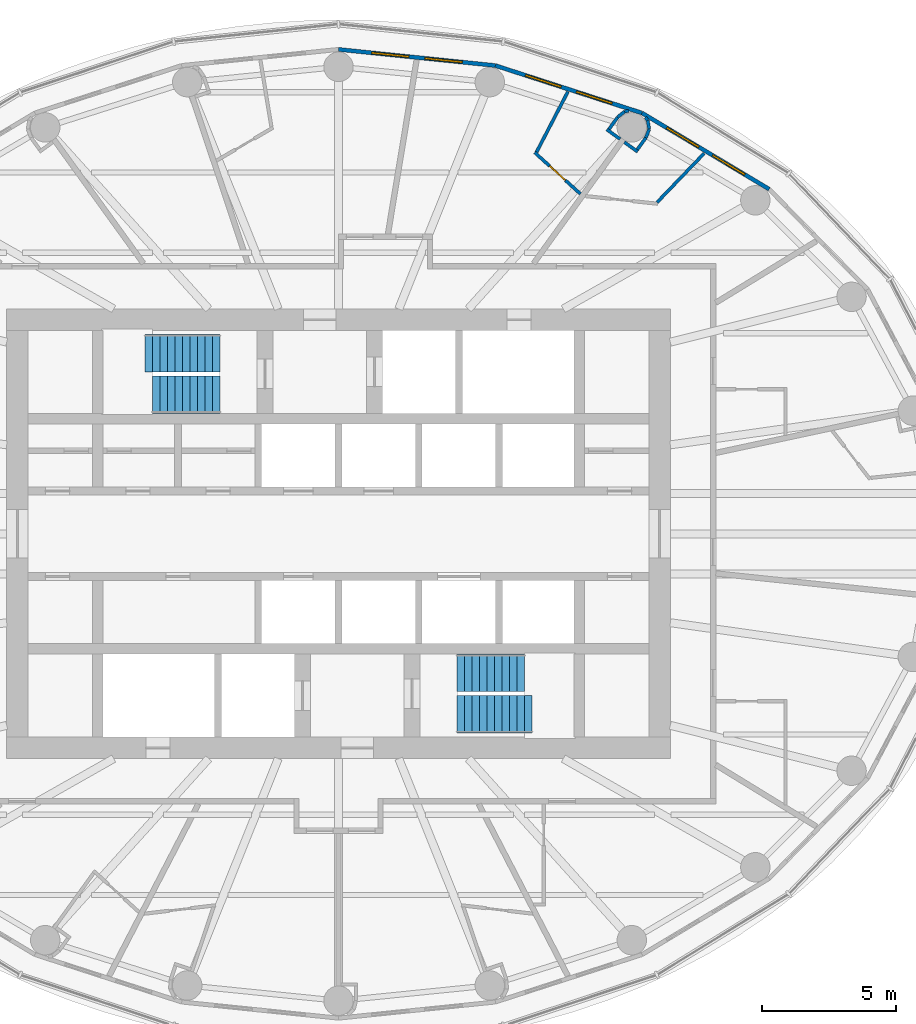
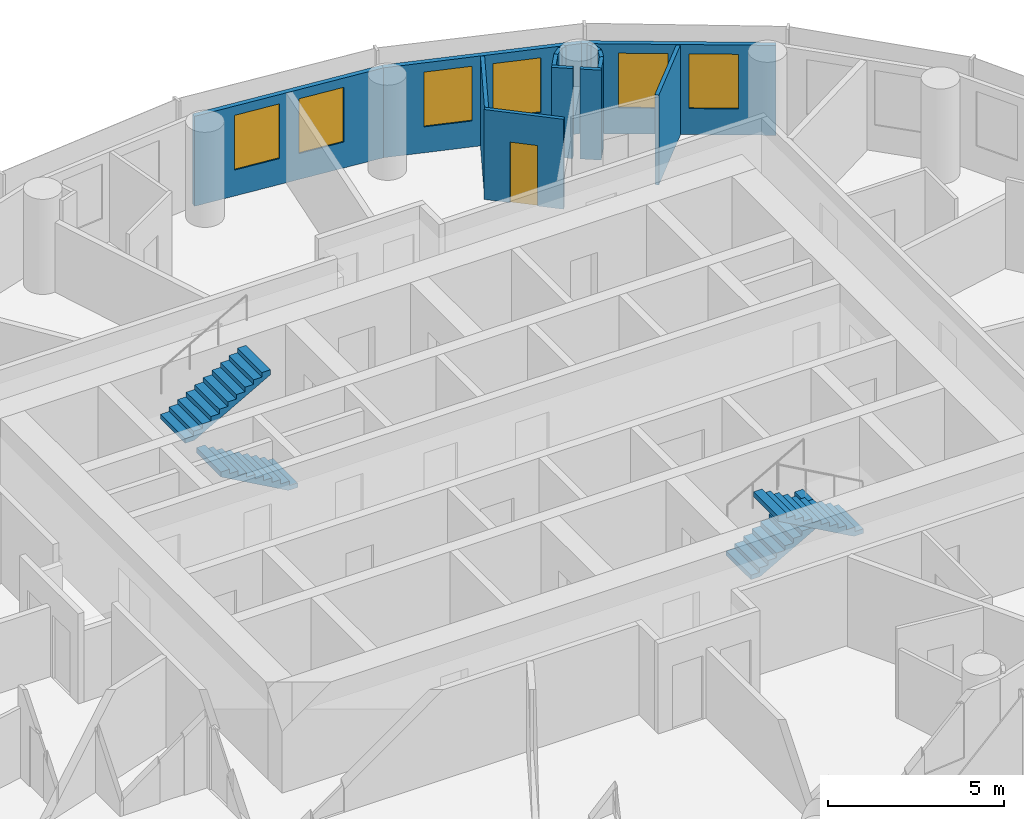
# One storey, part 12 of 13: 15 walls, 6 windows, 4 stair flights, 1 door, 7 openings, 2 elements without a shape of their own.
"""IFC4 building model written with IfcOpenShell, lengths in metres."""

from ifc_helpers import new_model, si_unit, direction, frame, frame_2d, origin, place, context, subcontext, project, spatial, polyline, rectangle, outline, extrude, material, layer, layer_set, type_object, element, fill, aggregate, save


model = new_model("IFC4")

# Units and contexts
model_context = context("Model", 3, precision=1e-05, world=origin(), true_north=direction((0.0, 1.0)))
body_context = subcontext(model_context, "Body", "Model", "MODEL_VIEW")
ifc_project = project(units=[si_unit("LENGTHUNIT", "METRE"), si_unit("AREAUNIT", "SQUARE_METRE"), si_unit("VOLUMEUNIT", "CUBIC_METRE"), si_unit("PLANEANGLEUNIT", "RADIAN"), si_unit("MASSUNIT", "GRAM", prefix="KILO")], contexts=[model_context])

# Site, building, storey
site_placement = place(None, origin())
site = spatial("IfcSite", under=ifc_project, at=site_placement, CompositionType="ELEMENT")
building_placement = place(site_placement, origin())
building = spatial("IfcBuilding", under=site, at=building_placement, Name="Hankou Lantern Tower", CompositionType="ELEMENT")
storey_placement = place(building_placement, frame((0.0, 0.0, 159.89990234375)))
storey = spatial("IfcBuildingStorey", under=building, at=storey_placement, Name="L42", CompositionType="ELEMENT", Elevation=159.89990234375)

# Wall, openings, windows
ifc_material_1 = material(Name="Aluminium spandrel panel on steel studs", Category="steel")
ifc_layer_1 = layer(ifc_material_1, 0.14990234375)
ifc_layer_set_1 = layer_set([ifc_layer_1], Name="Aluminium spandrel panel on steel studs")
wall_type_1 = type_object("IfcWallType", Name="EW1 INNER SKIN WALL 150", PredefinedType="ELEMENTEDWALL", material=ifc_layer_set_1)
wall_1_placement = place(storey_placement, frame((16.0947265625, 12.875732421875, 0.0), z_axis=(0.0, 0.0, 1.0), x_axis=(-0.857695199231, 0.514158482587, 0.0)))
wall_1 = element("IfcWall", 1, at=wall_1_placement, inside=storey, type_object=wall_type_1, Name="Inner skin R04-R05 L42", PredefinedType="ELEMENTEDWALL", context=body_context, shape_type="SweptSolid", body=[
    extrude(rectangle(XDim=5.5361328125, YDim=0.14990234375, at=frame_2d((2.76806640625, 0.0))), origin(), (0.0, 0.0, 1.0), 3.1201171875),
])
opening_1_placement = place(wall_1_placement, frame((1.068115234375, 0.0, 0.89990234375)))
opening_1 = element("IfcOpeningElement", 2, at=opening_1_placement, cuts=wall_1, Name="Opening W3", PredefinedType="OPENING", context=body_context, shape_type="SweptSolid", body=[
    extrude(rectangle(XDim=1.39990234375, YDim=1.89990234375, at=frame_2d((0.699951171875, 0.949951171875))), frame((0.0, 0.0849609375, 0.0), z_axis=(0.0, -1.0, 0.0), x_axis=(1.0, 0.0, 0.0)), (0.0, 0.0, 1.0), 0.169921875),
])
opening_2_placement = place(wall_1_placement, frame((3.068115234375, 0.0, 0.89990234375)))
opening_2 = element("IfcOpeningElement", 3, at=opening_2_placement, cuts=wall_1, Name="Opening W3", PredefinedType="OPENING", context=body_context, shape_type="SweptSolid", body=[
    extrude(rectangle(XDim=1.39990234375, YDim=1.89990234375, at=frame_2d((0.699951171875, 0.949951171875))), frame((0.0, 0.0849609375, 0.0), z_axis=(0.0, -1.0, 0.0), x_axis=(1.0, 0.0, 0.0)), (0.0, 0.0, 1.0), 0.169921875),
])
ifc_material_2 = material(Name="Aluminium framed double glazed window", Category="aluminium")
window_type = type_object("IfcWindowType", Name="W3 GUEST ROOM WINDOW 1400X1900", PartitioningType="DOUBLE_PANEL_VERTICAL", PredefinedType="WINDOW", material=ifc_material_2)
window_1_placement = place(opening_1_placement, origin())
window_1 = element("IfcWindow", 4, at=window_1_placement, inside=storey, type_object=window_type, Name="Window R04.1 L42", OverallHeight=1.89990234375, OverallWidth=1.39990234375, PartitioningType="SINGLE_PANEL", PredefinedType="WINDOW", context=body_context, shape_type="SweptSolid", body=[
    extrude(rectangle(XDim=1.39990234375, YDim=1.89990234375, at=frame_2d((0.699951171875, 0.949951171875))), frame((0.0, 0.030029296875, 0.0), z_axis=(0.0, -1.0, 0.0), x_axis=(1.0, 0.0, 0.0)), (0.0, 0.0, 1.0), 0.06005859375),
])
fill(opening_1, window_1)
window_2_placement = place(opening_2_placement, origin())
window_2 = element("IfcWindow", 5, at=window_2_placement, inside=storey, type_object=window_type, Name="Window R04.2 L42", OverallHeight=1.89990234375, OverallWidth=1.39990234375, PartitioningType="SINGLE_PANEL", PredefinedType="WINDOW", context=body_context, shape_type="SweptSolid", body=[
    extrude(rectangle(XDim=1.39990234375, YDim=1.89990234375, at=frame_2d((0.699951171875, 0.949951171875))), frame((0.0, 0.030029296875, 0.0), z_axis=(0.0, -1.0, 0.0), x_axis=(1.0, 0.0, 0.0)), (0.0, 0.0, 1.0), 0.06005859375),
])
fill(opening_2, window_2)

wall_2_placement = place(storey_placement, frame((11.346435546875, 15.72216796875, 0.0), z_axis=(0.0, 0.0, 1.0), x_axis=(-0.951432482129, 0.307857486429, 0.0)))
wall_2 = element("IfcWall", 6, at=wall_2_placement, inside=storey, type_object=wall_type_1, Name="Inner skin R05-R06 L42", PredefinedType="ELEMENTEDWALL", context=body_context, shape_type="SweptSolid", body=[
    extrude(rectangle(XDim=5.76611328125, YDim=0.14990234375, at=frame_2d((2.883056640625, 0.0))), origin(), (0.0, 0.0, 1.0), 3.1201171875),
])
opening_3_placement = place(wall_2_placement, frame((1.18310546875, 0.0, 0.89990234375)))
opening_3 = element("IfcOpeningElement", 7, at=opening_3_placement, cuts=wall_2, Name="Opening W3", PredefinedType="OPENING", context=body_context, shape_type="SweptSolid", body=[
    extrude(rectangle(XDim=1.39990234375, YDim=1.89990234375, at=frame_2d((0.699951171875, 0.949951171875))), frame((0.0, 0.0849609375, 0.0), z_axis=(0.0, -1.0, 0.0), x_axis=(1.0, 0.0, 0.0)), (0.0, 0.0, 1.0), 0.169921875),
])
opening_4_placement = place(wall_2_placement, frame((3.18310546875, 0.0, 0.89990234375)))
opening_4 = element("IfcOpeningElement", 8, at=opening_4_placement, cuts=wall_2, Name="Opening W3", PredefinedType="OPENING", context=body_context, shape_type="SweptSolid", body=[
    extrude(rectangle(XDim=1.39990234375, YDim=1.89990234375, at=frame_2d((0.699951171875, 0.949951171875))), frame((0.0, 0.0849609375, 0.0), z_axis=(0.0, -1.0, 0.0), x_axis=(1.0, 0.0, 0.0)), (0.0, 0.0, 1.0), 0.169921875),
])
window_3_placement = place(opening_3_placement, origin())
window_3 = element("IfcWindow", 9, at=window_3_placement, inside=storey, type_object=window_type, Name="Window R05.1 L42", OverallHeight=1.89990234375, OverallWidth=1.39990234375, PartitioningType="SINGLE_PANEL", PredefinedType="WINDOW", context=body_context, shape_type="SweptSolid", body=[
    extrude(rectangle(XDim=1.39990234375, YDim=1.89990234375, at=frame_2d((0.699951171875, 0.949951171875))), frame((0.0, 0.030029296875, 0.0), z_axis=(0.0, -1.0, 0.0), x_axis=(1.0, 0.0, 0.0)), (0.0, 0.0, 1.0), 0.06005859375),
])
fill(opening_3, window_3)
window_4_placement = place(opening_4_placement, origin())
window_4 = element("IfcWindow", 10, at=window_4_placement, inside=storey, type_object=window_type, Name="Window R05.2 L42", OverallHeight=1.89990234375, OverallWidth=1.39990234375, PartitioningType="SINGLE_PANEL", PredefinedType="WINDOW", context=body_context, shape_type="SweptSolid", body=[
    extrude(rectangle(XDim=1.39990234375, YDim=1.89990234375, at=frame_2d((0.699951171875, 0.949951171875))), frame((0.0, 0.030029296875, 0.0), z_axis=(0.0, -1.0, 0.0), x_axis=(1.0, 0.0, 0.0)), (0.0, 0.0, 1.0), 0.06005859375),
])
fill(opening_4, window_4)

wall_3_placement = place(storey_placement, frame((5.8603515625, 17.497314453125, 0.0), z_axis=(0.0, 0.0, 1.0), x_axis=(-0.994751738032, 0.102318032045, 0.0)))
wall_3 = element("IfcWall", 11, at=wall_3_placement, inside=storey, type_object=wall_type_1, Name="Inner skin R06-R07 L42", PredefinedType="ELEMENTEDWALL", context=body_context, shape_type="SweptSolid", body=[
    extrude(rectangle(XDim=5.891357421875, YDim=0.14990234375, at=frame_2d((2.94580078125, 0.0))), origin(), (0.0, 0.0, 1.0), 3.1201171875),
])
opening_5_placement = place(wall_3_placement, frame((1.24560546875, 0.0, 0.89990234375)))
opening_5 = element("IfcOpeningElement", 12, at=opening_5_placement, cuts=wall_3, Name="Opening W3", PredefinedType="OPENING", context=body_context, shape_type="SweptSolid", body=[
    extrude(rectangle(XDim=1.39990234375, YDim=1.89990234375, at=frame_2d((0.699951171875, 0.949951171875))), frame((0.0, 0.0849609375, 0.0), z_axis=(0.0, -1.0, 0.0), x_axis=(1.0, 0.0, 0.0)), (0.0, 0.0, 1.0), 0.169921875),
])
opening_6_placement = place(wall_3_placement, frame((3.24560546875, 0.0, 0.89990234375)))
opening_6 = element("IfcOpeningElement", 13, at=opening_6_placement, cuts=wall_3, Name="Opening W3", PredefinedType="OPENING", context=body_context, shape_type="SweptSolid", body=[
    extrude(rectangle(XDim=1.39990234375, YDim=1.89990234375, at=frame_2d((0.699951171875, 0.949951171875))), frame((0.0, 0.0849609375, 0.0), z_axis=(0.0, -1.0, 0.0), x_axis=(1.0, 0.0, 0.0)), (0.0, 0.0, 1.0), 0.169921875),
])
window_5_placement = place(opening_5_placement, origin())
window_5 = element("IfcWindow", 14, at=window_5_placement, inside=storey, type_object=window_type, Name="Window R06.1 L42", OverallHeight=1.89990234375, OverallWidth=1.39990234375, PartitioningType="SINGLE_PANEL", PredefinedType="WINDOW", context=body_context, shape_type="SweptSolid", body=[
    extrude(rectangle(XDim=1.39990234375, YDim=1.89990234375, at=frame_2d((0.699951171875, 0.949951171875))), frame((0.0, 0.030029296875, 0.0), z_axis=(0.0, -1.0, 0.0), x_axis=(1.0, 0.0, 0.0)), (0.0, 0.0, 1.0), 0.06005859375),
])
fill(opening_5, window_5)
window_6_placement = place(opening_6_placement, origin())
window_6 = element("IfcWindow", 15, at=window_6_placement, inside=storey, type_object=window_type, Name="Window R06.2 L42", OverallHeight=1.89990234375, OverallWidth=1.39990234375, PartitioningType="SINGLE_PANEL", PredefinedType="WINDOW", context=body_context, shape_type="SweptSolid", body=[
    extrude(rectangle(XDim=1.39990234375, YDim=1.89990234375, at=frame_2d((0.699951171875, 0.949951171875))), frame((0.0, 0.030029296875, 0.0), z_axis=(0.0, -1.0, 0.0), x_axis=(1.0, 0.0, 0.0)), (0.0, 0.0, 1.0), 0.06005859375),
])
fill(opening_6, window_6)

# Walls
ifc_material_3 = material(Name="Masonry lightweight concrete block", Category="masonry")
ifc_layer_2 = layer(ifc_material_3, 0.1201171875)
ifc_layer_set_2 = layer_set([ifc_layer_2], Name="Masonry lightweight concrete block")
wall_type_2 = type_object("IfcWallType", Name="IW3 BATHROOM WALL 120", PredefinedType="PARTITIONING", material=ifc_layer_set_2)
wall_4_placement = place(storey_placement, frame((11.90234375, 12.383056640625, 0.0), z_axis=(0.0, 0.0, 1.0), x_axis=(0.69298385335, 0.720953104574, 0.0)))
element("IfcWall", 16, at=wall_4_placement, inside=storey, type_object=wall_type_2, Name="Box wall 4213 2", PredefinedType="PARTITIONING", context=body_context, shape_type="SweptSolid", body=[
    extrude(rectangle(XDim=2.5400390625, YDim=0.1201171875, at=frame_2d((1.27001953125, 0.0))), origin(), (0.0, 0.0, 1.0), 3.1201171875),
])
wall_5_placement = place(storey_placement, frame((10.683837890625, 14.633056640625, 0.0), z_axis=(0.0, 0.0, 1.0), x_axis=(0.810921075692, -0.585155542568, 0.0)))
element("IfcWall", 17, at=wall_5_placement, inside=storey, type_object=wall_type_2, Name="Column casing 4213 return", PredefinedType="PARTITIONING", context=body_context, shape_type="SweptSolid", body=[
    extrude(rectangle(XDim=0.612060546875, YDim=0.1201171875, at=frame_2d((0.30615234375, 0.0))), origin(), (0.0, 0.0, 1.0), 3.1201171875),
])
wall_6_placement = place(storey_placement, frame((11.166748046875, 14.358642578125, 0.0), z_axis=(0.0, 0.0, 1.0), x_axis=(0.585263549799, 0.810843127415, 0.0)))
element("IfcWall", 18, at=wall_6_placement, inside=storey, type_object=wall_type_2, Name="Column casing 4213", PredefinedType="PARTITIONING", context=body_context, shape_type="SweptSolid", body=[
    extrude(rectangle(XDim=0.5498046875, YDim=0.1201171875, at=frame_2d((0.27490234375, 0.0))), origin(), (0.0, 0.0, 1.0), 3.1201171875),
])
for number, where, z_axis, x_axis, name in (
    (19, (11.488525390625, 14.804443359375, 0.0), (0.0, 0.0, 1.0), (0.355634599475, 0.934625075448, 0.0), "Column casing 4213"),
    (20, (11.608642578125, 15.1201171875, 0.0), (0.0, 0.0, 1.0), (-0.159823572519, 0.987145594969, 0.0), "Column casing 4213"),
):
    element("IfcWall", number, at=place(storey_placement, frame(where, z_axis=z_axis, x_axis=x_axis)), inside=storey, type_object=wall_type_2, Name=name, PredefinedType="PARTITIONING", context=body_context, shape_type="SweptSolid", body=[
        extrude(rectangle(XDim=0.337646484375, YDim=0.1201171875, at=frame_2d((0.1689453125, 0.0))), origin(), (0.0, 0.0, 1.0), 3.1201171875),
    ])
wall_7_placement = place(storey_placement, frame((11.5546875, 15.453369140625, 0.0), z_axis=(0.0, 0.0, 1.0), x_axis=(-0.631711901025, 0.775203246964, 0.0)))
element("IfcWall", 21, at=wall_7_placement, inside=storey, type_object=wall_type_2, Name="Column casing 4213", PredefinedType="PARTITIONING", context=body_context, shape_type="SweptSolid", body=[
    extrude(rectangle(XDim=0.139404296875, YDim=0.1201171875, at=frame_2d((0.06982421875, 0.0))), origin(), (0.0, 0.0, 1.0), 3.1201171875),
])

# Wall, opening, door
wall_8_placement = place(storey_placement, frame((9.041748046875, 12.699462890625, 0.0), z_axis=(0.0, 0.0, 1.0), x_axis=(-0.741100257539, 0.671394376112, 0.0)))
wall_8 = element("IfcWall", 22, at=wall_8_placement, inside=storey, type_object=wall_type_2, Name="Box wall 4214 1", PredefinedType="PARTITIONING", context=body_context, shape_type="SweptSolid", body=[
    extrude(rectangle(XDim=2.3115234375, YDim=0.1201171875, at=frame_2d((1.15576171875, 0.0))), origin(), (0.0, 0.0, 1.0), 3.1201171875),
])
opening_7_placement = place(wall_8_placement, frame((0.755859375, 0.0, 0.0)))
opening_7 = element("IfcOpeningElement", 23, at=opening_7_placement, cuts=wall_8, Name="Opening D3", PredefinedType="OPENING", context=body_context, shape_type="SweptSolid", body=[
    extrude(rectangle(XDim=0.800048828125, YDim=2.10009765625, at=frame_2d((0.39990234375, 1.050048828125))), frame((0.0, 0.070068359375, 0.0), z_axis=(0.0, -1.0, 0.0), x_axis=(1.0, 0.0, 0.0)), (0.0, 0.0, 1.0), 0.14013671875),
])
ifc_material_4 = material(Name="Timber door leaf", Category="wood")
door_type = type_object("IfcDoorType", Name="D3 BATHROOM DOOR 800X2100", OperationType="SINGLE_SWING_LEFT", PredefinedType="DOOR", material=ifc_material_4)
door_placement = place(opening_7_placement, origin())
door = element("IfcDoor", 24, at=door_placement, inside=storey, type_object=door_type, Name="En-suite bathroom 4214 door", OperationType="SINGLE_SWING_LEFT", OverallHeight=2.10009765625, OverallWidth=0.800048828125, PredefinedType="DOOR", context=body_context, shape_type="SweptSolid", body=[
    extrude(rectangle(XDim=0.800048828125, YDim=2.10009765625, at=frame_2d((0.39990234375, 1.050048828125))), frame((0.0, 0.02490234375, 0.0), z_axis=(0.0, -1.0, 0.0), x_axis=(1.0, 0.0, 0.0)), (0.0, 0.0, 1.0), 0.050048828125),
])
fill(opening_7, door)

# Walls
wall_9_placement = place(storey_placement, frame((7.400634765625, 14.264404296875, 0.0), z_axis=(0.0, 0.0, 1.0), x_axis=(0.460505131319, 0.887657041897, 0.0)))
element("IfcWall", 25, at=wall_9_placement, inside=storey, type_object=wall_type_2, Name="Box wall 4214 2", PredefinedType="PARTITIONING", context=body_context, shape_type="SweptSolid", body=[
    extrude(rectangle(XDim=2.5400390625, YDim=0.1201171875, at=frame_2d((1.27001953125, 0.0))), origin(), (0.0, 0.0, 1.0), 3.1201171875),
])
wall_10_placement = place(storey_placement, frame((10.521728515625, 14.750244140625, 0.0), z_axis=(0.0, 0.0, 1.0), x_axis=(-0.811057588427, 0.584966313777, 0.0)))
element("IfcWall", 26, at=wall_10_placement, inside=storey, type_object=wall_type_2, Name="Column casing 4214 return", PredefinedType="PARTITIONING", context=body_context, shape_type="SweptSolid", body=[
    extrude(rectangle(XDim=0.6123046875, YDim=0.1201171875, at=frame_2d((0.30615234375, 0.0))), origin(), (0.0, 0.0, 1.0), 3.1201171875),
])
wall_11_placement = place(storey_placement, frame((10.10888671875, 15.121826171875, 0.0), z_axis=(0.0, 0.0, 1.0), x_axis=(0.585344718358, 0.810784534072, 0.0)))
element("IfcWall", 27, at=wall_11_placement, inside=storey, type_object=wall_type_2, Name="Column casing 4214", PredefinedType="PARTITIONING", context=body_context, shape_type="SweptSolid", body=[
    extrude(rectangle(XDim=0.550048828125, YDim=0.1201171875, at=frame_2d((0.27490234375, 0.0))), origin(), (0.0, 0.0, 1.0), 3.1201171875),
])
wall_12_placement = place(storey_placement, frame((10.430908203125, 15.56787109375, 0.0), z_axis=(0.0, 0.0, 1.0), x_axis=(0.77505137267, 0.631898227345, 0.0)))
element("IfcWall", 28, at=wall_12_placement, inside=storey, type_object=wall_type_2, Name="Column casing 4214", PredefinedType="PARTITIONING", context=body_context, shape_type="SweptSolid", body=[
    extrude(rectangle(XDim=0.337646484375, YDim=0.1201171875, at=frame_2d((0.1689453125, 0.0))), origin(), (0.0, 0.0, 1.0), 3.1201171875),
])
wall_13_placement = place(storey_placement, frame((10.692626953125, 15.78125, 0.0), z_axis=(0.0, 0.0, 1.0), x_axis=(0.987256785332, 0.159135287777, 0.0)))
element("IfcWall", 29, at=wall_13_placement, inside=storey, type_object=wall_type_2, Name="Column casing 4214", PredefinedType="PARTITIONING", context=body_context, shape_type="SweptSolid", body=[
    extrude(rectangle(XDim=0.157958984375, YDim=0.1201171875, at=frame_2d((0.0791015625, 0.0))), origin(), (0.0, 0.0, 1.0), 3.1201171875),
])

# Stair, stair flight
ifc_material_5 = material(Name="Concrete C40", Category="concrete")
stair_type = type_object("IfcStairType", Name="ST33 CORE STAIR 3300 RISE", PredefinedType="HALF_TURN_STAIR", material=ifc_material_5)
stair_1_placement = place(storey_placement, origin())
stair_1 = element("IfcStair", 30, at=stair_1_placement, inside=storey, type_object=stair_type, Name="Stair STA L42", PredefinedType="HALF_TURN_STAIR")
ifc_material_6 = material(Name="Concrete C40", Category="concrete")
stair_flight_type_1 = type_object("IfcStairFlightType", Name="CF10 CORE STAIR FLIGHT 1400 X 10 RISERS", PredefinedType="STRAIGHT", material=ifc_material_6)
stair_flight_1_placement = place(storey_placement, frame((-4.429931640625, 5.199951171875, 0.0), z_axis=(0.0, 0.0, 1.0), x_axis=(-1.0, 0.0, 0.0)))
stair_flight_1 = element("IfcStairFlight", 31, at=stair_flight_1_placement, type_object=stair_flight_type_1, Name="STA flight 1", NumberOfRisers=10, NumberOfTreads=9, PredefinedType="STRAIGHT", RiserHeight=0.157142857, TreadLength=0.28, context=body_context, shape_type="SweptSolid", body=[
    extrude(outline(polyline([(0.0, 0.0), (0.0, 0.1572265625), (0.280029296875, 0.1572265625), (0.280029296875, 0.314208984375), (0.56005859375, 0.314208984375), (0.56005859375, 0.471435546875), (0.840087890625, 0.471435546875), (0.840087890625, 0.628662109375), (1.1201171875, 0.628662109375), (1.1201171875, 0.78564453125), (1.39990234375, 0.78564453125), (1.39990234375, 0.94287109375), (1.679931640625, 0.94287109375), (1.679931640625, 1.10009765625), (1.9599609375, 1.10009765625), (1.9599609375, 1.257080078125), (2.239990234375, 1.257080078125), (2.239990234375, 1.414306640625), (2.52001953125, 1.414306640625), (2.52001953125, 1.571533203125), (2.52001953125, 1.242431640625), (0.306396484375, 0.0), (0.0, 0.0)])), frame((0.0, 0.699951171875, 0.0), z_axis=(0.0, -1.0, 0.0), x_axis=(1.0, 0.0, 0.0)), (0.0, 0.0, 1.0), 1.39990234375),
])

stair_2_placement = place(storey_placement, origin())
stair_2 = element("IfcStair", 32, at=stair_2_placement, inside=storey, type_object=stair_type, Name="Stair STB L42", PredefinedType="HALF_TURN_STAIR")
stair_flight_2_placement = place(storey_placement, frame((4.429931640625, -5.199951171875, 0.0), z_axis=(0.0, 0.0, 1.0), x_axis=(1.0, 0.0, 0.0)))
stair_flight_2 = element("IfcStairFlight", 33, at=stair_flight_2_placement, type_object=stair_flight_type_1, Name="STB flight 1", NumberOfRisers=10, NumberOfTreads=9, PredefinedType="STRAIGHT", RiserHeight=0.157142857, TreadLength=0.28, context=body_context, shape_type="SweptSolid", body=[
    extrude(outline(polyline([(0.0, 0.0), (0.0, 0.1572265625), (0.280029296875, 0.1572265625), (0.280029296875, 0.314208984375), (0.56005859375, 0.314208984375), (0.56005859375, 0.471435546875), (0.840087890625, 0.471435546875), (0.840087890625, 0.628662109375), (1.1201171875, 0.628662109375), (1.1201171875, 0.78564453125), (1.39990234375, 0.78564453125), (1.39990234375, 0.94287109375), (1.679931640625, 0.94287109375), (1.679931640625, 1.10009765625), (1.9599609375, 1.10009765625), (1.9599609375, 1.257080078125), (2.239990234375, 1.257080078125), (2.239990234375, 1.414306640625), (2.52001953125, 1.414306640625), (2.52001953125, 1.571533203125), (2.52001953125, 1.242431640625), (0.306396484375, 0.0), (0.0, 0.0)])), frame((0.0, 0.699951171875, 0.0), z_axis=(0.0, -1.0, 0.0), x_axis=(1.0, 0.0, 0.0)), (0.0, 0.0, 1.0), 1.39990234375),
])

# Stair flight
ifc_material_7 = material(Name="Concrete C40", Category="concrete")
stair_flight_type_2 = type_object("IfcStairFlightType", Name="CF11 CORE STAIR FLIGHT 1400 X 11 RISERS", PredefinedType="STRAIGHT", material=ifc_material_7)
stair_flight_3_placement = place(storey_placement, frame((-7.22998046875, 6.75, 1.571533203125), z_axis=(0.0, 0.0, 1.0), x_axis=(1.0, 0.0, 0.0)))
stair_flight_3 = element("IfcStairFlight", 34, at=stair_flight_3_placement, type_object=stair_flight_type_2, Name="STA flight 2", NumberOfRisers=11, NumberOfTreads=10, PredefinedType="STRAIGHT", RiserHeight=0.157142857, TreadLength=0.28, context=body_context, shape_type="SweptSolid", body=[
    extrude(outline(polyline([(0.0, 0.0), (0.0, 0.1572265625), (0.280029296875, 0.1572265625), (0.280029296875, 0.314208984375), (0.56005859375, 0.314208984375), (0.56005859375, 0.471435546875), (0.840087890625, 0.471435546875), (0.840087890625, 0.628662109375), (1.1201171875, 0.628662109375), (1.1201171875, 0.78564453125), (1.39990234375, 0.78564453125), (1.39990234375, 0.94287109375), (1.679931640625, 0.94287109375), (1.679931640625, 1.10009765625), (1.9599609375, 1.10009765625), (1.9599609375, 1.257080078125), (2.239990234375, 1.257080078125), (2.239990234375, 1.414306640625), (2.52001953125, 1.414306640625), (2.52001953125, 1.571533203125), (2.800048828125, 1.571533203125), (2.800048828125, 1.728515625), (2.800048828125, 1.3994140625), (0.306396484375, 0.0), (0.0, 0.0)])), frame((0.0, 0.699951171875, 0.0), z_axis=(0.0, -1.0, 0.0), x_axis=(1.0, 0.0, 0.0)), (0.0, 0.0, 1.0), 1.39990234375),
])

aggregate(stair_1, [stair_flight_1, stair_flight_3])

stair_flight_4_placement = place(storey_placement, frame((7.22998046875, -6.75, 1.571533203125), z_axis=(0.0, 0.0, 1.0), x_axis=(-1.0, 0.0, 0.0)))
stair_flight_4 = element("IfcStairFlight", 35, at=stair_flight_4_placement, type_object=stair_flight_type_2, Name="STB flight 2", NumberOfRisers=11, NumberOfTreads=10, PredefinedType="STRAIGHT", RiserHeight=0.157142857, TreadLength=0.28, context=body_context, shape_type="SweptSolid", body=[
    extrude(outline(polyline([(0.0, 0.0), (0.0, 0.1572265625), (0.280029296875, 0.1572265625), (0.280029296875, 0.314208984375), (0.56005859375, 0.314208984375), (0.56005859375, 0.471435546875), (0.840087890625, 0.471435546875), (0.840087890625, 0.628662109375), (1.1201171875, 0.628662109375), (1.1201171875, 0.78564453125), (1.39990234375, 0.78564453125), (1.39990234375, 0.94287109375), (1.679931640625, 0.94287109375), (1.679931640625, 1.10009765625), (1.9599609375, 1.10009765625), (1.9599609375, 1.257080078125), (2.239990234375, 1.257080078125), (2.239990234375, 1.414306640625), (2.52001953125, 1.414306640625), (2.52001953125, 1.571533203125), (2.800048828125, 1.571533203125), (2.800048828125, 1.728515625), (2.800048828125, 1.3994140625), (0.306396484375, 0.0), (0.0, 0.0)])), frame((0.0, 0.699951171875, 0.0), z_axis=(0.0, -1.0, 0.0), x_axis=(1.0, 0.0, 0.0)), (0.0, 0.0, 1.0), 1.39990234375),
])

aggregate(stair_2, [stair_flight_2, stair_flight_4])

save(model, "model.ifc")
